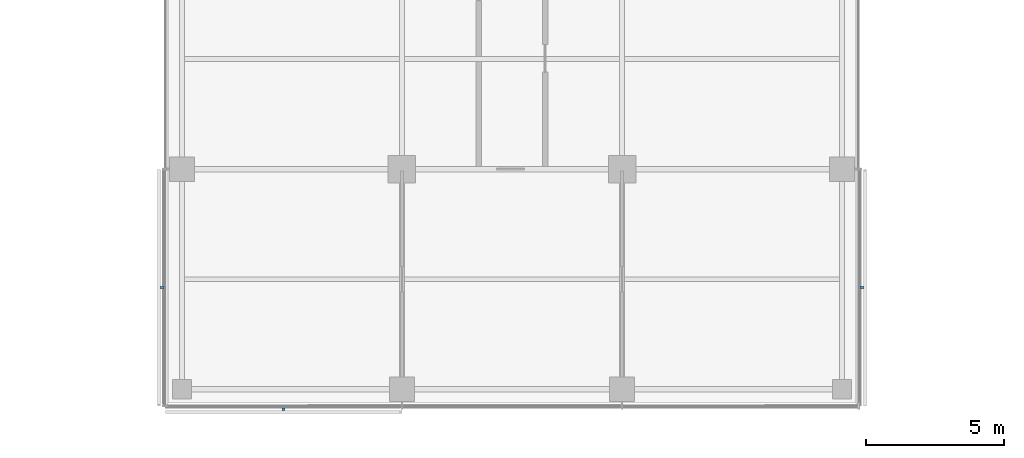
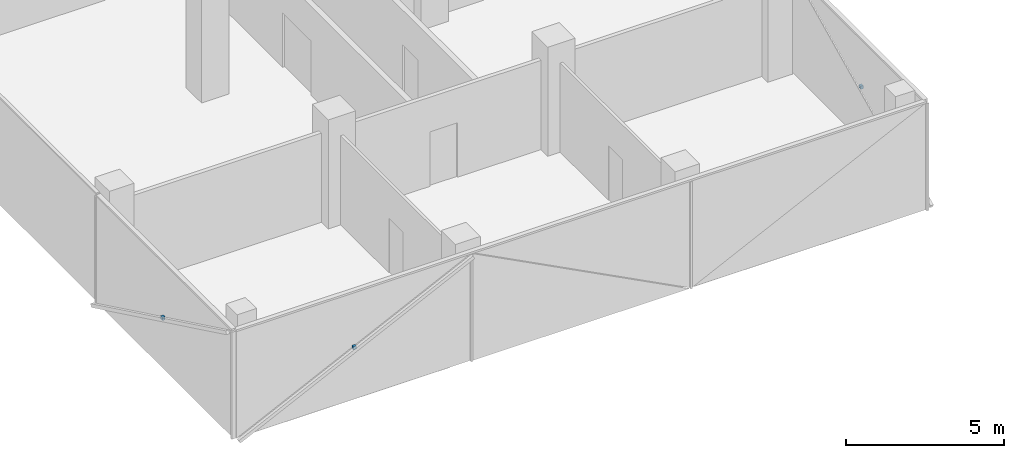
# One storey, part 18 of 22: 3 discrete accessories.
"""IFC4 building model written with IfcOpenShell, lengths in metres."""

from ifc_helpers import new_model, si_unit, direction, frame, origin, origin_2d, place, context, subcontext, project, spatial, rectangle, extrude, material, type_object, element, save


model = new_model("IFC4")

# Units and contexts
model_context = context("Model", 3, precision=1e-05, world=origin(), true_north=direction((0.0, 1.0)))
body_context = subcontext(model_context, "Body", "Model", "MODEL_VIEW")
ifc_project = project(units=[si_unit("LENGTHUNIT", "METRE"), si_unit("AREAUNIT", "SQUARE_METRE"), si_unit("VOLUMEUNIT", "CUBIC_METRE"), si_unit("PLANEANGLEUNIT", "RADIAN"), si_unit("MASSUNIT", "GRAM", prefix="KILO")], contexts=[model_context])

# Site, building, storey
site_placement = place(None, origin())
site = spatial("IfcSite", under=ifc_project, at=site_placement, CompositionType="ELEMENT")
building_placement = place(site_placement, origin())
building = spatial("IfcBuilding", under=site, at=building_placement, Name="Crosswind Convention Tower", CompositionType="ELEMENT")
storey_placement = place(building_placement, frame((0.0, 0.0, 116.89990234375)))
storey = spatial("IfcBuildingStorey", under=building, at=storey_placement, Name="L23", CompositionType="ELEMENT", Elevation=116.89990234375)

# Discrete accessories
ifc_material = material(Name="Stainless steel", Category="steel")
discrete_accessory_type = type_object("IfcDiscreteAccessoryType", Name="BAGUETTE BRACKET BK3", PredefinedType="BRACKET", material=ifc_material)
for number, where, z_axis, x_axis, name in (
    (1, (112.27392578125, 75.695068359375, 1.705078125), (0.0, 0.0, 1.0), (0.0, -1.0, 0.0), "BK3 baguette bracket"),
    (2, (116.695068359375, 71.27392578125, 1.705078125), (0.0, 0.0, 1.0), (1.0, 0.0, 0.0), "BK3 baguette bracket"),
    (3, (137.72607421875, 75.695068359375, 1.705078125), (0.0, 0.0, 1.0), (0.0, 1.0, 0.0), "BK3 baguette bracket"),
):
    element("IfcDiscreteAccessory", number, at=place(storey_placement, frame(where, z_axis=z_axis, x_axis=x_axis)), inside=storey, type_object=discrete_accessory_type, Name=name, PredefinedType="BRACKET", context=body_context, shape_type="SweptSolid", body=[
        extrude(rectangle(XDim=0.1201171875, YDim=0.10009765625, at=origin_2d()), origin(), (0.0, 0.0, 1.0), 0.1201171875),
    ])

save(model, "model.ifc")
